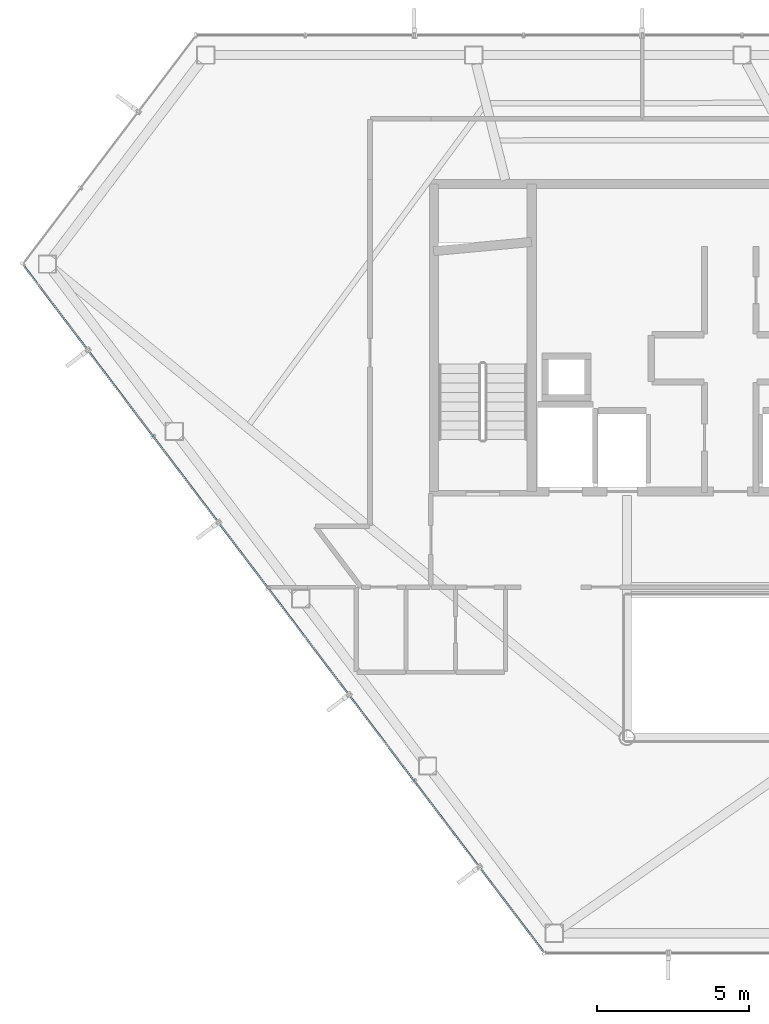
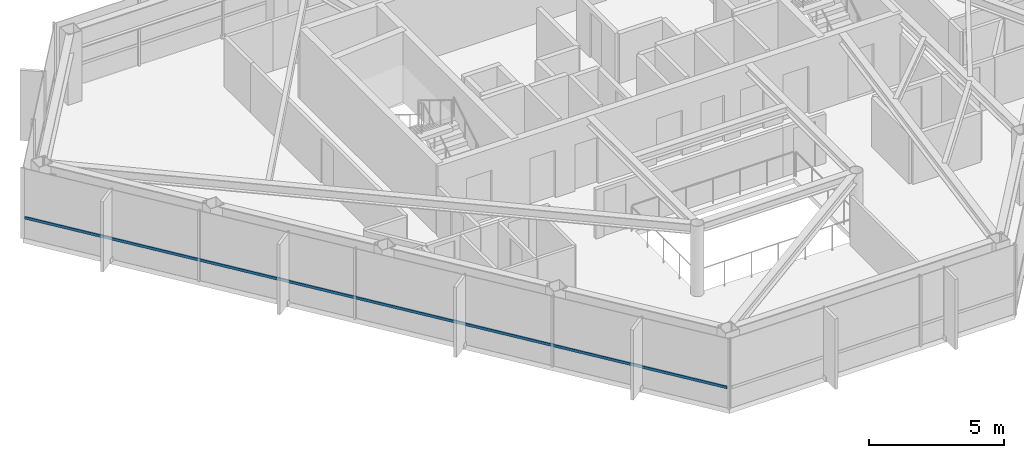
# One storey, part 4 of 28: 1 member, 1 element without a shape of its own.
"""IFC4 building model written with IfcOpenShell, lengths in metres."""

import ifcopenshell
import ifcopenshell.guid

model = None  # the IFC model being written
_history = None  # IfcOwnerHistory: only IFC2X3 demands one
_inside = {}  # id of a spatial element -> (the spatial element, [elements in it])
_under = {}  # id of a project, library or spatial element -> (it, [spatial elements below it])
_declared = {}  # id of a project -> (the project, [libraries it declares])
_typed = {}  # id of a type object -> (the type object, [elements of that type])
_made_of = {}  # id of a material, layer set ... -> (it, [elements and type objects made of it])


def new_model(schema):
    """Start an empty IFC model of exactly this schema.

    Asked for "IFC4X3", IfcOpenShell would pick the latest addendum, in which some entities
    have other attributes; the version numbers below select the first issue.
    IFC2X3 requires an IfcOwnerHistory on every rooted entity: one is made here for all.
    """
    global model, _history
    if schema == "IFC4X3":
        model = ifcopenshell.file(schema_version=(4, 3, 0, 0))
    else:
        model = ifcopenshell.file(schema=schema)
    _inside.clear()
    _under.clear()
    _declared.clear()
    _typed.clear()
    _made_of.clear()
    _history = None
    if model.schema == "IFC2X3":
        org = make("IfcOrganization", Name="unknown")
        user = make(
            "IfcPersonAndOrganization",
            ThePerson=make("IfcPerson", FamilyName="unknown"),
            TheOrganization=org,
        )
        app = make(
            "IfcApplication",
            ApplicationDeveloper=org,
            Version="unknown",
            ApplicationFullName="unknown",
            ApplicationIdentifier="unknown",
        )
        _history = make(
            "IfcOwnerHistory",
            OwningUser=user,
            OwningApplication=app,
            ChangeAction="ADDED",
            CreationDate=0,
        )
    return model


def make(cls, **values):
    """One entity of the class cls with the attributes given. An attribute that is None is left unset."""
    return model.create_entity(
        cls, **{name: value for name, value in values.items() if value is not None}
    )


def rooted(cls, **values):
    """An entity with a GlobalId (a new one), such as an element, a storey or a relation."""
    return make(cls, GlobalId=ifcopenshell.guid.new(), OwnerHistory=_history, **values)


def si_unit(unit_type, name, prefix=None):
    """IfcSIUnit, for example si_unit("LENGTHUNIT", "METRE", prefix="MILLI")."""
    return make("IfcSIUnit", UnitType=unit_type, Prefix=prefix, Name=name)


def assignment(units):
    """IfcUnitAssignment: the units of a project."""
    return None if units is None else make("IfcUnitAssignment", Units=units)


def point(xyz):
    """IfcCartesianPoint."""
    return None if xyz is None else make("IfcCartesianPoint", Coordinates=xyz)


def direction(xyz):
    """IfcDirection."""
    return None if xyz is None else make("IfcDirection", DirectionRatios=xyz)


def frame(location, z_axis=None, x_axis=None):
    """IfcAxis2Placement3D, a coordinate frame: its origin and axes. An axis left out is left unset."""
    return make(
        "IfcAxis2Placement3D",
        Location=point(location),
        Axis=direction(z_axis),
        RefDirection=direction(x_axis),
    )


def frame_2d(location, x_axis=None):
    """IfcAxis2Placement2D, a coordinate frame in the plane: its origin and x axis."""
    return make(
        "IfcAxis2Placement2D", Location=point(location), RefDirection=direction(x_axis)
    )


def origin():
    """The frame at (0, 0, 0) with its axes left unset."""
    return frame((0.0, 0.0, 0.0))


def origin_2d():
    """The frame at (0, 0) in the plane with its x axis left unset."""
    return frame_2d((0.0, 0.0))


def place(relative_to, where):
    """IfcLocalPlacement: puts the frame where relative to a parent placement (None: the world)."""
    return make(
        "IfcLocalPlacement", PlacementRelTo=relative_to, RelativePlacement=where
    )


def context(
    kind, dimensions, precision=None, world=None, true_north=None, identifier=None
):
    """IfcGeometricRepresentationContext, for example the 3D "Model" context."""
    return make(
        "IfcGeometricRepresentationContext",
        ContextIdentifier=identifier,
        ContextType=kind,
        CoordinateSpaceDimension=dimensions,
        Precision=precision,
        WorldCoordinateSystem=world,
        TrueNorth=true_north,
    )


def subcontext(parent, identifier, kind, view, scale=None):
    """IfcGeometricRepresentationSubContext, for example "Body" below "Model"."""
    return make(
        "IfcGeometricRepresentationSubContext",
        ContextIdentifier=identifier,
        ContextType=kind,
        ParentContext=parent,
        TargetScale=scale,
        TargetView=view,
    )


def project(units=None, contexts=None):
    """IfcProject with its units and contexts."""
    return rooted(
        "IfcProject",
        Name="project",
        RepresentationContexts=contexts,
        UnitsInContext=assignment(units),
    )


def spatial(cls, under=None, at=None, **own):
    """A site, building, storey or space (cls), placed at a placement, below another one or the project."""
    s = rooted(cls, ObjectPlacement=at, **own)
    if under is not None:
        _under.setdefault(under.id(), (under, []))[1].append(s)
    return s


def profile(cls, at=None, kind="AREA", **sizes):
    """A parametric profile (cls). Its sizes go by their IFC names, for example OverallWidth=200.0."""
    return make(cls, ProfileType=kind, Position=at, **sizes)


def hollow_rectangle(**sizes):
    """IfcRectangleHollowProfileDef."""
    return profile("IfcRectangleHollowProfileDef", **sizes)


def extrude(swept, where, along, depth):
    """IfcExtrudedAreaSolid: the profile swept, set in the frame where, extruded along a direction by depth."""
    return make(
        "IfcExtrudedAreaSolid",
        SweptArea=swept,
        Position=where,
        ExtrudedDirection=direction(along),
        Depth=depth,
    )


def shape(context_of_items, identifier, shape_type, items):
    """IfcShapeRepresentation: the items that make up one representation, for example the "Body"."""
    return make(
        "IfcShapeRepresentation",
        ContextOfItems=context_of_items,
        RepresentationIdentifier=identifier,
        RepresentationType=shape_type,
        Items=items,
    )


def material(Name=None, Category=None):
    """IfcMaterial."""
    return make("IfcMaterial", Name=Name, Category=Category)


def layer(
    of_material, thickness, ventilated=None, Name=None, Category=None, Priority=None
):
    """IfcMaterialLayer: one layer of a wall or slab, of a material (None: an air gap)."""
    return make(
        "IfcMaterialLayer",
        Material=of_material,
        LayerThickness=thickness,
        IsVentilated=ventilated,
        Name=Name,
        Category=Category,
        Priority=Priority,
    )


def layer_set(layers, Name=None):
    """IfcMaterialLayerSet."""
    return make("IfcMaterialLayerSet", MaterialLayers=layers, LayerSetName=Name)


def material_profile(
    of_material, cross_section, Name=None, Category=None, Priority=None
):
    """IfcMaterialProfile: a cross section and its material."""
    return make(
        "IfcMaterialProfile",
        Name=Name,
        Material=of_material,
        Profile=cross_section,
        Priority=Priority,
        Category=Category,
    )


def profile_set(profiles, Name=None, composite=None):
    """IfcMaterialProfileSet."""
    return make(
        "IfcMaterialProfileSet",
        Name=Name,
        MaterialProfiles=profiles,
        CompositeProfile=composite,
    )


def made_of(thing, what):
    """Note that an element or type object is made of a material, layer set ...; save() writes the relation."""
    if what is not None:
        _made_of.setdefault(what.id(), (what, []))[1].append(thing)
    return thing


def type_object(cls, material=None, **own):
    """A type object (cls), such as IfcWallType, which elements share."""
    return made_of(rooted(cls, **own), material)


def element(
    cls,
    number,
    at=None,
    inside=None,
    cuts=None,
    type_object=None,
    material=None,
    context=None,
    identifier="Body",
    shape_type=None,
    held_by="IfcProductDefinitionShape",
    body=None,
    shapes=None,
    **own,
):
    """One element of the class cls, such as IfcWall. Its Tag is "e" and its number.

    at: its placement. inside: the storey or other place that contains it. cuts: it is an
    opening in that element (IfcRelVoidsElement). A single representation is given by context,
    identifier, shape_type and body (its items); several are given by shapes. held_by: the class
    of the entity that holds the representations. save() writes the other relations.
    """
    e = rooted(cls, Tag="e%d" % number, ObjectPlacement=at, **own)
    if body is not None:
        shapes = [shape(context, identifier, shape_type, body)]
    if shapes is not None:
        e.Representation = make(held_by, Representations=shapes)
    if inside is not None:
        _inside.setdefault(inside.id(), (inside, []))[1].append(e)
    if cuts is not None:
        rooted(
            "IfcRelVoidsElement", RelatingBuildingElement=cuts, RelatedOpeningElement=e
        )
    if type_object is not None:
        _typed.setdefault(type_object.id(), (type_object, []))[1].append(e)
    return made_of(e, material)


def aggregate(whole, parts):
    """IfcRelAggregates: a whole, such as a stair, and the parts it consists of."""
    return rooted("IfcRelAggregates", RelatingObject=whole, RelatedObjects=parts)


def save(model, path):
    """Write the relations noted so far, then the file.

    IfcRelAggregates (storeys below a building ...), IfcRelContainedInSpatialStructure (elements
    in a storey), IfcRelDefinesByType, IfcRelAssociatesMaterial and IfcRelDeclares: one each for
    every whole, place, type object, material and project.
    """
    for whole, parts in _under.values():
        aggregate(whole, parts)
    for where, things in _inside.values():
        rooted(
            "IfcRelContainedInSpatialStructure",
            RelatedElements=things,
            RelatingStructure=where,
        )
    for kind, things in _typed.values():
        rooted("IfcRelDefinesByType", RelatedObjects=things, RelatingType=kind)
    for what, things in _made_of.values():
        rooted("IfcRelAssociatesMaterial", RelatedObjects=things, RelatingMaterial=what)
    for by, libraries in _declared.values():
        rooted("IfcRelDeclares", RelatingContext=by, RelatedDefinitions=libraries)
    model.write(path)


model = new_model("IFC4")

# Units and contexts
model_context = context("Model", 3, precision=1e-05, world=origin(), true_north=direction((0.0, 1.0)))
body_context = subcontext(model_context, "Body", "Model", "MODEL_VIEW")
ifc_project = project(units=[si_unit("LENGTHUNIT", "METRE"), si_unit("AREAUNIT", "SQUARE_METRE"), si_unit("VOLUMEUNIT", "CUBIC_METRE"), si_unit("PLANEANGLEUNIT", "RADIAN"), si_unit("MASSUNIT", "GRAM", prefix="KILO")], contexts=[model_context])

# Site, building, storey
site_placement = place(None, origin())
site = spatial("IfcSite", under=ifc_project, at=site_placement, CompositionType="ELEMENT")
building_placement = place(site_placement, origin())
building = spatial("IfcBuilding", under=site, at=building_placement, Name="Zarrinselat Tower", CompositionType="ELEMENT")
storey_placement = place(building_placement, frame((0.0, 0.0, 222.360107421875)))
storey = spatial("IfcBuildingStorey", under=building, at=storey_placement, Name="L55", CompositionType="ELEMENT", Elevation=222.360107421875)

# Curtain wall, member
ifc_material_1 = material(Name="Extruded Aluminium Alloy EN AW-6063 T6", Category="aluminium")
ifc_layer = layer(ifc_material_1, 0.169921875)
ifc_layer_set = layer_set([ifc_layer], Name="Extruded Aluminium Alloy EN AW-6063 T6")
curtain_wall_type = type_object("IfcCurtainWallType", Name="CWS-RES", PredefinedType="NOTDEFINED", material=ifc_layer_set)
curtain_wall_placement = place(storey_placement, origin())
curtain_wall = element("IfcCurtainWall", 1, at=curtain_wall_placement, inside=storey, type_object=curtain_wall_type, Name="L55 Unitised Curtain Wall CW-L55-E03", PredefinedType="NOTDEFINED")
ifc_material_2 = material(Name="Extruded Aluminium Alloy EN AW-6063 T6", Category="aluminium")
ifc_material_profile = material_profile(ifc_material_2, hollow_rectangle(XDim=0.06005859375, YDim=0.1201171875, WallThickness=0.00390625, at=origin_2d()), Name="RHS 120x60x4")
ifc_profile_set = profile_set([ifc_material_profile], Name="Extruded Aluminium Alloy EN AW-6063 T6")
member_type = type_object("IfcMemberType", Name="MEM-CW-TRN2", PredefinedType="USERDEFINED", material=ifc_profile_set)
member_placement = place(storey_placement, frame((15.180908203125, 40.7001953125, 0.949951171875), z_axis=(0.603865676755, -0.797086096001, 0.0), x_axis=(0.797086096001, 0.603865676755, 0.0)))
member = element("IfcMember", 2, at=member_placement, type_object=member_type, Name="CW-L55-E03 Transom 1", ObjectType="TRANSOM", PredefinedType="USERDEFINED", context=body_context, shape_type="SweptSolid", body=[
    extrude(hollow_rectangle(XDim=0.06005859375, YDim=0.1201171875, WallThickness=0.00390625, at=origin_2d()), origin(), (0.0, 0.0, 1.0), 28.242431640625),
])
aggregate(curtain_wall, [member])

save(model, "model.ifc")
